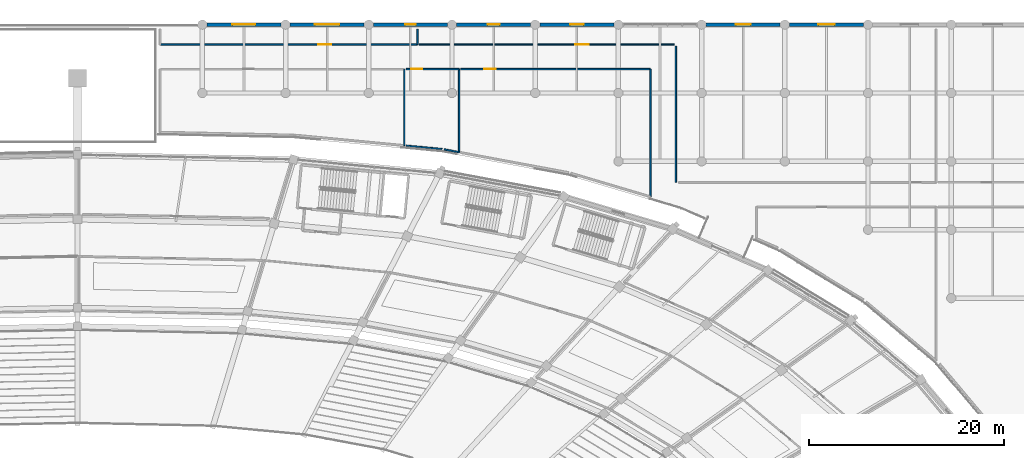
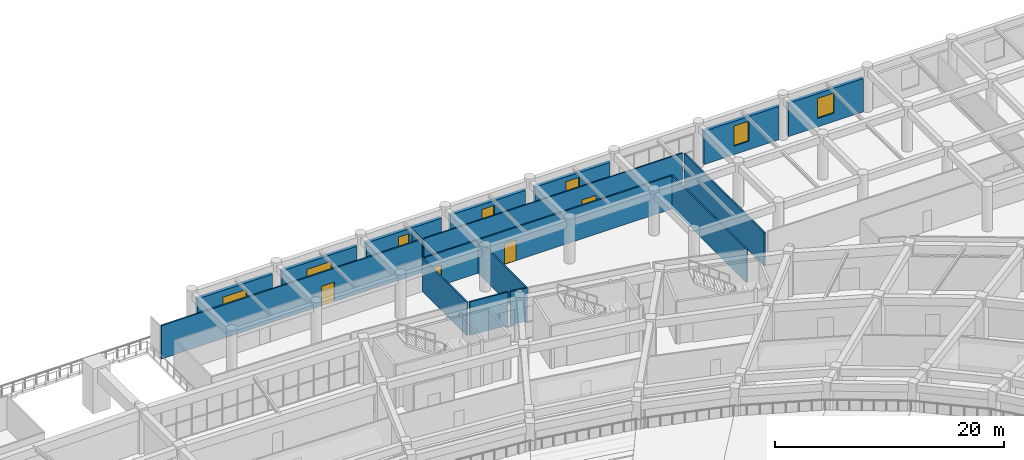
# One storey, part 116 of 152: 18 walls, 7 windows, 4 doors, 11 openings.
"""IFC4 building model written with IfcOpenShell, lengths in metres."""

from ifc_helpers import new_model, si_unit, direction, frame, frame_2d, origin, place, context, subcontext, project, spatial, rectangle, extrude, material, layer, layer_set, type_object, element, fill, save


model = new_model("IFC4")

# Units and contexts
model_context = context("Model", 3, precision=1e-05, world=origin(), true_north=direction((0.0, 1.0)))
body_context = subcontext(model_context, "Body", "Model", "MODEL_VIEW")
ifc_project = project(units=[si_unit("LENGTHUNIT", "METRE"), si_unit("AREAUNIT", "SQUARE_METRE"), si_unit("VOLUMEUNIT", "CUBIC_METRE"), si_unit("PLANEANGLEUNIT", "RADIAN"), si_unit("MASSUNIT", "GRAM", prefix="KILO")], contexts=[model_context])

# Site, building, storey
site_placement = place(None, origin())
site = spatial("IfcSite", under=ifc_project, at=site_placement, CompositionType="ELEMENT")
building_placement = place(site_placement, origin())
building = spatial("IfcBuilding", under=site, at=building_placement, Name="Mphavela Belvedere Stadium", CompositionType="ELEMENT")
storey_placement = place(building_placement, frame((0.0, 0.0, 5.39990234375)))
storey = spatial("IfcBuildingStorey", under=building, at=storey_placement, Name="L01", CompositionType="ELEMENT", Elevation=5.39990234375)

# Wall, opening, window
ifc_material_1 = material(Name="Honed ashlar limestone masonry", Category="masonry")
ifc_layer_1 = layer(ifc_material_1, 0.35009765625)
ifc_layer_set_1 = layer_set([ifc_layer_1], Name="Honed ashlar limestone masonry")
wall_type_1 = type_object("IfcWallType", Name="WAL-EXT-ASHLAR-350", PredefinedType="STANDARD", material=ifc_layer_set_1)
wall_1_placement = place(storey_placement, frame((128.2509765625, 174.0, 0.0), z_axis=(0.0, 0.0, 1.0), x_axis=(1.0, 0.0, 0.0)))
wall_1 = element("IfcWall", 1, at=wall_1_placement, inside=storey, type_object=wall_type_1, Name="North Mast and Ceremonial End Forecourt outer facade bay L01-16", PredefinedType="STANDARD", context=body_context, shape_type="SweptSolid", body=[
    extrude(rectangle(XDim=7.572021484375, YDim=0.35009765625, at=frame_2d((3.7861328125, 0.0))), origin(), (0.0, 0.0, 1.0), 3.56005859375),
])
opening_1_placement = place(wall_1_placement, frame((2.60595703125, 0.0, 0.89990234375)))
opening_1 = element("IfcOpeningElement", 2, at=opening_1_placement, cuts=wall_1, Name="Opening W-164", PredefinedType="OPENING", context=body_context, shape_type="SweptSolid", body=[
    extrude(rectangle(XDim=2.360107421875, YDim=1.949951171875, at=frame_2d((1.18017578125, 0.97509765625))), frame((0.0, 0.18505859375, 0.0), z_axis=(0.0, -1.0, 0.0), x_axis=(1.0, 0.0, 0.0)), (0.0, 0.0, 1.0), 0.3701171875),
])
ifc_material_2 = material(Name="Bronze-anodised thermally broken aluminium window", Category="aluminium")
window_type_1 = type_object("IfcWindowType", Name="WIN-EXT-32", PartitioningType="SINGLE_PANEL", PredefinedType="WINDOW", material=ifc_material_2)
window_1_placement = place(opening_1_placement, origin())
window_1 = element("IfcWindow", 3, at=window_1_placement, inside=storey, type_object=window_type_1, Name="North Mast and Ceremonial End Forecourt classical window W-164", OverallHeight=1.949951171875, OverallWidth=2.360107421875, PartitioningType="SINGLE_PANEL", PredefinedType="WINDOW", context=body_context, shape_type="SweptSolid", body=[
    extrude(rectangle(XDim=2.360107421875, YDim=1.949951171875, at=frame_2d((1.18017578125, 0.97509765625))), frame((0.0, 0.030029296875, 0.0), z_axis=(0.0, -1.0, 0.0), x_axis=(1.0, 0.0, 0.0)), (0.0, 0.0, 1.0), 0.06005859375),
])
fill(opening_1, window_1)

wall_2_placement = place(storey_placement, frame((136.76904296875, 174.0, 0.0), z_axis=(0.0, 0.0, 1.0), x_axis=(1.0, 0.0, 0.0)))
wall_2 = element("IfcWall", 4, at=wall_2_placement, inside=storey, type_object=wall_type_1, Name="North Mast and Ceremonial End Forecourt outer facade bay L01-17", PredefinedType="STANDARD", context=body_context, shape_type="SweptSolid", body=[
    extrude(rectangle(XDim=7.572998046875, YDim=0.35009765625, at=frame_2d((3.78662109375, 0.0))), origin(), (0.0, 0.0, 1.0), 3.56005859375),
])
opening_2_placement = place(wall_2_placement, frame((2.526611328125, 0.0, 0.89990234375)))
opening_2 = element("IfcOpeningElement", 5, at=opening_2_placement, cuts=wall_2, Name="Opening W-165", PredefinedType="OPENING", context=body_context, shape_type="SweptSolid", body=[
    extrude(rectangle(XDim=2.52001953125, YDim=1.949951171875, at=frame_2d((1.260009765625, 0.97509765625))), frame((0.0, 0.18505859375, 0.0), z_axis=(0.0, -1.0, 0.0), x_axis=(1.0, 0.0, 0.0)), (0.0, 0.0, 1.0), 0.3701171875),
])
ifc_material_3 = material(Name="Bronze-anodised thermally broken aluminium window", Category="aluminium")
window_type_2 = type_object("IfcWindowType", Name="WIN-EXT-33", PartitioningType="SINGLE_PANEL", PredefinedType="WINDOW", material=ifc_material_3)
window_2_placement = place(opening_2_placement, origin())
window_2 = element("IfcWindow", 6, at=window_2_placement, inside=storey, type_object=window_type_2, Name="North Mast and Ceremonial End Forecourt classical window W-165", OverallHeight=1.949951171875, OverallWidth=2.52001953125, PartitioningType="SINGLE_PANEL", PredefinedType="WINDOW", context=body_context, shape_type="SweptSolid", body=[
    extrude(rectangle(XDim=2.52001953125, YDim=1.949951171875, at=frame_2d((1.260009765625, 0.97509765625))), frame((0.0, 0.030029296875, 0.0), z_axis=(0.0, -1.0, 0.0), x_axis=(1.0, 0.0, 0.0)), (0.0, 0.0, 1.0), 0.06005859375),
])
fill(opening_2, window_2)

wall_3_placement = place(storey_placement, frame((145.2880859375, 174.0, 0.0), z_axis=(0.0, 0.0, 1.0), x_axis=(1.0, 0.0, 0.0)))
wall_3 = element("IfcWall", 7, at=wall_3_placement, inside=storey, type_object=wall_type_1, Name="North Mast and Ceremonial End Forecourt outer facade bay L01-18", PredefinedType="STANDARD", context=body_context, shape_type="SweptSolid", body=[
    extrude(rectangle(XDim=7.572021484375, YDim=0.35009765625, at=frame_2d((3.7861328125, 0.0))), origin(), (0.0, 0.0, 1.0), 3.56005859375),
])
opening_3_placement = place(wall_3_placement, frame((3.236083984375, 0.0, 0.89990234375)))
opening_3 = element("IfcOpeningElement", 8, at=opening_3_placement, cuts=wall_3, Name="Opening W-166", PredefinedType="OPENING", context=body_context, shape_type="SweptSolid", body=[
    extrude(rectangle(XDim=1.10009765625, YDim=2.14990234375, at=frame_2d((0.550048828125, 1.074951171875))), frame((0.0, 0.18505859375, 0.0), z_axis=(0.0, -1.0, 0.0), x_axis=(1.0, 0.0, 0.0)), (0.0, 0.0, 1.0), 0.3701171875),
])
ifc_material_4 = material(Name="Bronze-anodised thermally broken aluminium window", Category="aluminium")
window_type_3 = type_object("IfcWindowType", Name="WIN-EXT-34", PartitioningType="SINGLE_PANEL", PredefinedType="WINDOW", material=ifc_material_4)
window_3_placement = place(opening_3_placement, origin())
window_3 = element("IfcWindow", 9, at=window_3_placement, inside=storey, type_object=window_type_3, Name="North Mast and Ceremonial End Forecourt classical window W-166", OverallHeight=2.14990234375, OverallWidth=1.10009765625, PartitioningType="SINGLE_PANEL", PredefinedType="WINDOW", context=body_context, shape_type="SweptSolid", body=[
    extrude(rectangle(XDim=1.10009765625, YDim=2.14990234375, at=frame_2d((0.550048828125, 1.074951171875))), frame((0.0, 0.030029296875, 0.0), z_axis=(0.0, -1.0, 0.0), x_axis=(1.0, 0.0, 0.0)), (0.0, 0.0, 1.0), 0.06005859375),
])
fill(opening_3, window_3)

wall_4_placement = place(storey_placement, frame((153.805908203125, 174.0, 0.0), z_axis=(0.0, 0.0, 1.0), x_axis=(1.0, 0.0, 0.0)))
wall_4 = element("IfcWall", 10, at=wall_4_placement, inside=storey, type_object=wall_type_1, Name="North Mast and Ceremonial End Forecourt outer facade bay L01-19", PredefinedType="STANDARD", context=body_context, shape_type="SweptSolid", body=[
    extrude(rectangle(XDim=7.572998046875, YDim=0.35009765625, at=frame_2d((3.78662109375, 0.0))), origin(), (0.0, 0.0, 1.0), 3.56005859375),
])
opening_4_placement = place(wall_4_placement, frame((3.16650390625, 0.0, 0.89990234375)))
opening_4 = element("IfcOpeningElement", 11, at=opening_4_placement, cuts=wall_4, Name="Opening W-167", PredefinedType="OPENING", context=body_context, shape_type="SweptSolid", body=[
    extrude(rectangle(XDim=1.239990234375, YDim=2.14990234375, at=frame_2d((0.6201171875, 1.074951171875))), frame((0.0, 0.18505859375, 0.0), z_axis=(0.0, -1.0, 0.0), x_axis=(1.0, 0.0, 0.0)), (0.0, 0.0, 1.0), 0.3701171875),
])
ifc_material_5 = material(Name="Bronze-anodised thermally broken aluminium window", Category="aluminium")
window_type_4 = type_object("IfcWindowType", Name="WIN-EXT-35", PartitioningType="SINGLE_PANEL", PredefinedType="WINDOW", material=ifc_material_5)
window_4_placement = place(opening_4_placement, origin())
window_4 = element("IfcWindow", 12, at=window_4_placement, inside=storey, type_object=window_type_4, Name="North Mast and Ceremonial End Forecourt classical window W-167", OverallHeight=2.14990234375, OverallWidth=1.239990234375, PartitioningType="SINGLE_PANEL", PredefinedType="WINDOW", context=body_context, shape_type="SweptSolid", body=[
    extrude(rectangle(XDim=1.239990234375, YDim=2.14990234375, at=frame_2d((0.6201171875, 1.074951171875))), frame((0.0, 0.030029296875, 0.0), z_axis=(0.0, -1.0, 0.0), x_axis=(1.0, 0.0, 0.0)), (0.0, 0.0, 1.0), 0.06005859375),
])
fill(opening_4, window_4)

wall_5_placement = place(storey_placement, frame((162.324951171875, 174.0, 0.0), z_axis=(0.0, 0.0, 1.0), x_axis=(1.0, 0.0, 0.0)))
wall_5 = element("IfcWall", 13, at=wall_5_placement, inside=storey, type_object=wall_type_1, Name="North Mast and Ceremonial End Forecourt outer facade bay L01-20", PredefinedType="STANDARD", context=body_context, shape_type="SweptSolid", body=[
    extrude(rectangle(XDim=7.572021484375, YDim=0.35009765625, at=frame_2d((3.7861328125, 0.0))), origin(), (0.0, 0.0, 1.0), 3.56005859375),
])
opening_5_placement = place(wall_5_placement, frame((3.095947265625, 0.0, 0.89990234375)))
opening_5 = element("IfcOpeningElement", 14, at=opening_5_placement, cuts=wall_5, Name="Opening W-168", PredefinedType="OPENING", context=body_context, shape_type="SweptSolid", body=[
    extrude(rectangle(XDim=1.3798828125, YDim=2.14990234375, at=frame_2d((0.68994140625, 1.074951171875))), frame((0.0, 0.18505859375, 0.0), z_axis=(0.0, -1.0, 0.0), x_axis=(1.0, 0.0, 0.0)), (0.0, 0.0, 1.0), 0.3701171875),
])
ifc_material_6 = material(Name="Bronze-anodised thermally broken aluminium window", Category="aluminium")
window_type_5 = type_object("IfcWindowType", Name="WIN-EXT-36", PartitioningType="SINGLE_PANEL", PredefinedType="WINDOW", material=ifc_material_6)
window_5_placement = place(opening_5_placement, origin())
window_5 = element("IfcWindow", 15, at=window_5_placement, inside=storey, type_object=window_type_5, Name="North Mast and Ceremonial End Forecourt classical window W-168", OverallHeight=2.14990234375, OverallWidth=1.3798828125, PartitioningType="SINGLE_PANEL", PredefinedType="WINDOW", context=body_context, shape_type="SweptSolid", body=[
    extrude(rectangle(XDim=1.3798828125, YDim=2.14990234375, at=frame_2d((0.68994140625, 1.074951171875))), frame((0.0, 0.030029296875, 0.0), z_axis=(0.0, -1.0, 0.0), x_axis=(1.0, 0.0, 0.0)), (0.0, 0.0, 1.0), 0.06005859375),
])
fill(opening_5, window_5)

wall_6_placement = place(storey_placement, frame((179.362060546875, 174.0, 0.0), z_axis=(0.0, 0.0, 1.0), x_axis=(1.0, 0.0, 0.0)))
wall_6 = element("IfcWall", 16, at=wall_6_placement, inside=storey, type_object=wall_type_1, Name="North Mast and Ceremonial End Forecourt outer facade bay L01-22", PredefinedType="STANDARD", context=body_context, shape_type="SweptSolid", body=[
    extrude(rectangle(XDim=7.572021484375, YDim=0.35009765625, at=frame_2d((3.7861328125, 0.0))), origin(), (0.0, 0.0, 1.0), 3.56005859375),
])
opening_6_placement = place(wall_6_placement, frame((3.02587890625, 0.0, 0.89990234375)))
opening_6 = element("IfcOpeningElement", 17, at=opening_6_placement, cuts=wall_6, Name="Opening W-169", PredefinedType="OPENING", context=body_context, shape_type="SweptSolid", body=[
    extrude(rectangle(XDim=1.52001953125, YDim=2.14990234375, at=frame_2d((0.760009765625, 1.074951171875))), frame((0.0, 0.18505859375, 0.0), z_axis=(0.0, -1.0, 0.0), x_axis=(1.0, 0.0, 0.0)), (0.0, 0.0, 1.0), 0.3701171875),
])
ifc_material_7 = material(Name="Bronze-anodised thermally broken aluminium window", Category="aluminium")
window_type_6 = type_object("IfcWindowType", Name="WIN-EXT-37", PartitioningType="SINGLE_PANEL", PredefinedType="WINDOW", material=ifc_material_7)
window_6_placement = place(opening_6_placement, origin())
window_6 = element("IfcWindow", 18, at=window_6_placement, inside=storey, type_object=window_type_6, Name="North Mast and Ceremonial End Forecourt classical window W-169", OverallHeight=2.14990234375, OverallWidth=1.52001953125, PartitioningType="SINGLE_PANEL", PredefinedType="WINDOW", context=body_context, shape_type="SweptSolid", body=[
    extrude(rectangle(XDim=1.52001953125, YDim=2.14990234375, at=frame_2d((0.760009765625, 1.074951171875))), frame((0.0, 0.030029296875, 0.0), z_axis=(0.0, -1.0, 0.0), x_axis=(1.0, 0.0, 0.0)), (0.0, 0.0, 1.0), 0.06005859375),
])
fill(opening_6, window_6)

wall_7_placement = place(storey_placement, frame((187.8798828125, 174.0, 0.0), z_axis=(0.0, 0.0, 1.0), x_axis=(1.0, 0.0, 0.0)))
wall_7 = element("IfcWall", 19, at=wall_7_placement, inside=storey, type_object=wall_type_1, Name="North Mast and Ceremonial End Forecourt outer facade bay L01-23", PredefinedType="STANDARD", context=body_context, shape_type="SweptSolid", body=[
    extrude(rectangle(XDim=7.572998046875, YDim=0.35009765625, at=frame_2d((3.78662109375, 0.0))), origin(), (0.0, 0.0, 1.0), 3.56005859375),
])
opening_7_placement = place(wall_7_placement, frame((2.95654296875, 0.0, 0.89990234375)))
opening_7 = element("IfcOpeningElement", 20, at=opening_7_placement, cuts=wall_7, Name="Opening W-170", PredefinedType="OPENING", context=body_context, shape_type="SweptSolid", body=[
    extrude(rectangle(XDim=1.659912109375, YDim=2.14990234375, at=frame_2d((0.830078125, 1.074951171875))), frame((0.0, 0.18505859375, 0.0), z_axis=(0.0, -1.0, 0.0), x_axis=(1.0, 0.0, 0.0)), (0.0, 0.0, 1.0), 0.3701171875),
])
ifc_material_8 = material(Name="Bronze-anodised thermally broken aluminium window", Category="aluminium")
window_type_7 = type_object("IfcWindowType", Name="WIN-EXT-38", PartitioningType="SINGLE_PANEL", PredefinedType="WINDOW", material=ifc_material_8)
window_7_placement = place(opening_7_placement, origin())
window_7 = element("IfcWindow", 21, at=window_7_placement, inside=storey, type_object=window_type_7, Name="North Mast and Ceremonial End Forecourt classical window W-170", OverallHeight=2.14990234375, OverallWidth=1.659912109375, PartitioningType="SINGLE_PANEL", PredefinedType="WINDOW", context=body_context, shape_type="SweptSolid", body=[
    extrude(rectangle(XDim=1.659912109375, YDim=2.14990234375, at=frame_2d((0.830078125, 1.074951171875))), frame((0.0, 0.030029296875, 0.0), z_axis=(0.0, -1.0, 0.0), x_axis=(1.0, 0.0, 0.0)), (0.0, 0.0, 1.0), 0.06005859375),
])
fill(opening_7, window_7)

# Wall, opening, door
ifc_material_9 = material(Name="Moisture-resistant sanitary partition assembly")
ifc_layer_2 = layer(ifc_material_9, 0.125)
ifc_layer_set_2 = layer_set([ifc_layer_2], Name="Moisture-resistant sanitary partition assembly")
wall_type_2 = type_object("IfcWallType", Name="WAL-PART-125", PredefinedType="PARTITIONING", material=ifc_layer_set_2)
wall_8_placement = place(storey_placement, frame((176.10009765625, 171.9599609375, 0.0), z_axis=(0.0, 0.0, 1.0), x_axis=(-1.0, 0.0, 0.0)))
wall_8 = element("IfcWall", 22, at=wall_8_placement, inside=storey, type_object=wall_type_2, Name="Room L01-180 corridor partition", PredefinedType="PARTITIONING", context=body_context, shape_type="SweptSolid", body=[
    extrude(rectangle(XDim=26.10009765625, YDim=0.125, at=frame_2d((13.050048828125, 0.0))), origin(), (0.0, 0.0, 1.0), 3.550048828125),
])
opening_8_placement = place(wall_8_placement, frame((8.740966796875, 0.0, 0.0)))
opening_8 = element("IfcOpeningElement", 23, at=opening_8_placement, cuts=wall_8, Name="Opening ID-444", PredefinedType="OPENING", context=body_context, shape_type="SweptSolid", body=[
    extrude(rectangle(XDim=1.39990234375, YDim=2.10009765625, at=frame_2d((0.699951171875, 1.050048828125))), frame((0.0, 0.072509765625, 0.0), z_axis=(0.0, -1.0, 0.0), x_axis=(1.0, 0.0, 0.0)), (0.0, 0.0, 1.0), 0.14501953125),
])
ifc_material_10 = material(Name="Hardwood acoustic timber doorset", Category="wood")
door_type_1 = type_object("IfcDoorType", Name="DR-INT-12", OperationType="NOTDEFINED", PredefinedType="DOOR", material=ifc_material_10)
door_1_placement = place(opening_8_placement, origin())
door_1 = element("IfcDoor", 24, at=door_1_placement, inside=storey, type_object=door_type_1, Name="Room L01-180 entrance door ID-444", OperationType="SINGLE_SWING_RIGHT", OverallHeight=2.10009765625, OverallWidth=1.39990234375, PredefinedType="DOOR", context=body_context, shape_type="SweptSolid", body=[
    extrude(rectangle(XDim=1.39990234375, YDim=2.10009765625, at=frame_2d((0.699951171875, 1.050048828125))), frame((0.0, 0.02490234375, 0.0), z_axis=(0.0, -1.0, 0.0), x_axis=(1.0, 0.0, 0.0)), (0.0, 0.0, 1.0), 0.050048828125),
])
fill(opening_8, door_1)

ifc_material_11 = material(Name="Acoustic gypsum stud partition assembly")
ifc_layer_3 = layer(ifc_material_11, 0.14990234375)
ifc_layer_set_3 = layer_set([ifc_layer_3], Name="Acoustic gypsum stud partition assembly")
wall_type_3 = type_object("IfcWallType", Name="WAL-PART-150", PredefinedType="PARTITIONING", material=ifc_layer_set_3)
wall_9_placement = place(storey_placement, frame((149.800048828125, 171.9599609375, 0.0), z_axis=(0.0, 0.0, 1.0), x_axis=(-1.0, 0.0, 0.0)))
wall_9 = element("IfcWall", 25, at=wall_9_placement, inside=storey, type_object=wall_type_3, Name="Room L01-179 corridor partition", PredefinedType="PARTITIONING", context=body_context, shape_type="SweptSolid", body=[
    extrude(rectangle(XDim=26.300048828125, YDim=0.14990234375, at=frame_2d((13.14990234375, 0.0))), origin(), (0.0, 0.0, 1.0), 3.550048828125),
])
opening_9_placement = place(wall_9_placement, frame((8.839111328125, 0.0, 0.0)))
opening_9 = element("IfcOpeningElement", 26, at=opening_9_placement, cuts=wall_9, Name="Opening ID-443", PredefinedType="OPENING", context=body_context, shape_type="SweptSolid", body=[
    extrude(rectangle(XDim=1.320068359375, YDim=2.10009765625, at=frame_2d((0.66015625, 1.050048828125))), frame((0.0, 0.0849609375, 0.0), z_axis=(0.0, -1.0, 0.0), x_axis=(1.0, 0.0, 0.0)), (0.0, 0.0, 1.0), 0.169921875),
])
ifc_material_12 = material(Name="Hardwood acoustic timber doorset", Category="wood")
door_type_2 = type_object("IfcDoorType", Name="DR-INT-11", OperationType="NOTDEFINED", PredefinedType="DOOR", material=ifc_material_12)
door_2_placement = place(opening_9_placement, origin())
door_2 = element("IfcDoor", 27, at=door_2_placement, inside=storey, type_object=door_type_2, Name="Room L01-179 entrance door ID-443", OperationType="SINGLE_SWING_LEFT", OverallHeight=2.10009765625, OverallWidth=1.320068359375, PredefinedType="DOOR", context=body_context, shape_type="SweptSolid", body=[
    extrude(rectangle(XDim=1.320068359375, YDim=2.10009765625, at=frame_2d((0.66015625, 1.050048828125))), frame((0.0, 0.02490234375, 0.0), z_axis=(0.0, -1.0, 0.0), x_axis=(1.0, 0.0, 0.0)), (0.0, 0.0, 1.0), 0.050048828125),
])
fill(opening_9, door_2)

wall_10_placement = place(storey_placement, frame((148.64501953125, 169.43994140625, 0.0), z_axis=(0.0, 0.0, 1.0), x_axis=(1.0, 0.0, 0.0)))
wall_10 = element("IfcWall", 28, at=wall_10_placement, inside=storey, type_object=wall_type_3, Name="Room L01-187 corridor partition", PredefinedType="PARTITIONING", context=body_context, shape_type="SweptSolid", body=[
    extrude(rectangle(XDim=5.419921875, YDim=0.14990234375, at=frame_2d((2.7099609375, 0.0))), origin(), (0.0, 0.0, 1.0), 3.550048828125),
])
opening_10_placement = place(wall_10_placement, frame((0.501953125, 0.0, 0.0)))
opening_10 = element("IfcOpeningElement", 29, at=opening_10_placement, cuts=wall_10, Name="Opening ID-451", PredefinedType="OPENING", context=body_context, shape_type="SweptSolid", body=[
    extrude(rectangle(XDim=1.139892578125, YDim=2.199951171875, at=frame_2d((0.56982421875, 1.10009765625))), frame((0.0, 0.0849609375, 0.0), z_axis=(0.0, -1.0, 0.0), x_axis=(1.0, 0.0, 0.0)), (0.0, 0.0, 1.0), 0.169921875),
])
ifc_material_13 = material(Name="Hardwood acoustic timber doorset", Category="wood")
door_type_3 = type_object("IfcDoorType", Name="DR-INT-19", OperationType="NOTDEFINED", PredefinedType="DOOR", material=ifc_material_13)
door_3_placement = place(opening_10_placement, origin())
door_3 = element("IfcDoor", 30, at=door_3_placement, inside=storey, type_object=door_type_3, Name="Room L01-187 entrance door ID-451", OperationType="SINGLE_SWING_LEFT", OverallHeight=2.199951171875, OverallWidth=1.139892578125, PredefinedType="DOOR", context=body_context, shape_type="SweptSolid", body=[
    extrude(rectangle(XDim=1.139892578125, YDim=2.199951171875, at=frame_2d((0.56982421875, 1.10009765625))), frame((0.0, 0.02490234375, 0.0), z_axis=(0.0, -1.0, 0.0), x_axis=(1.0, 0.0, 0.0)), (0.0, 0.0, 1.0), 0.050048828125),
])
fill(opening_10, door_3)

wall_11_placement = place(storey_placement, frame((154.22509765625, 169.43994140625, 0.0), z_axis=(0.0, 0.0, 1.0), x_axis=(1.0, 0.0, 0.0)))
wall_11 = element("IfcWall", 31, at=wall_11_placement, inside=storey, type_object=wall_type_3, Name="Room L01-188 corridor partition", PredefinedType="PARTITIONING", context=body_context, shape_type="SweptSolid", body=[
    extrude(rectangle(XDim=19.414794921875, YDim=0.14990234375, at=frame_2d((9.70751953125, 0.0))), origin(), (0.0, 0.0, 1.0), 3.550048828125),
])
opening_11_placement = place(wall_11_placement, frame((2.431396484375, 0.0, 0.0)))
opening_11 = element("IfcOpeningElement", 32, at=opening_11_placement, cuts=wall_11, Name="Opening ID-452", PredefinedType="OPENING", context=body_context, shape_type="SweptSolid", body=[
    extrude(rectangle(XDim=1.179931640625, YDim=2.199951171875, at=frame_2d((0.58984375, 1.10009765625))), frame((0.0, 0.0849609375, 0.0), z_axis=(0.0, -1.0, 0.0), x_axis=(1.0, 0.0, 0.0)), (0.0, 0.0, 1.0), 0.169921875),
])
ifc_material_14 = material(Name="Hardwood acoustic timber doorset", Category="wood")
door_type_4 = type_object("IfcDoorType", Name="DR-INT-20", OperationType="NOTDEFINED", PredefinedType="DOOR", material=ifc_material_14)
door_4_placement = place(opening_11_placement, origin())
door_4 = element("IfcDoor", 33, at=door_4_placement, inside=storey, type_object=door_type_4, Name="Room L01-188 entrance door ID-452", OperationType="SINGLE_SWING_RIGHT", OverallHeight=2.199951171875, OverallWidth=1.179931640625, PredefinedType="DOOR", context=body_context, shape_type="SweptSolid", body=[
    extrude(rectangle(XDim=1.179931640625, YDim=2.199951171875, at=frame_2d((0.58984375, 1.10009765625))), frame((0.0, 0.02490234375, 0.0), z_axis=(0.0, -1.0, 0.0), x_axis=(1.0, 0.0, 0.0)), (0.0, 0.0, 1.0), 0.050048828125),
])
fill(opening_11, door_4)

# Walls
wall_12_placement = place(storey_placement, frame((149.800048828125, 173.550048828125, 0.0), z_axis=(0.0, 0.0, 1.0), x_axis=(0.0, -1.0, 0.0)))
element("IfcWall", 34, at=wall_12_placement, inside=storey, type_object=wall_type_3, Name="Room divider partition L01-0958", PredefinedType="PARTITIONING", context=body_context, shape_type="SweptSolid", body=[
    extrude(rectangle(XDim=1.590087890625, YDim=0.14990234375, at=frame_2d((0.794921875, 0.0))), origin(), (0.0, 0.0, 1.0), 3.550048828125),
])
wall_13_placement = place(storey_placement, frame((176.260009765625, 157.860107421875, 0.0), z_axis=(0.0, 0.0, 1.0), x_axis=(0.0, 1.0, 0.0)))
element("IfcWall", 35, at=wall_13_placement, inside=storey, type_object=wall_type_3, Name="Room divider partition L01-0959", PredefinedType="PARTITIONING", context=body_context, shape_type="SweptSolid", body=[
    extrude(rectangle(XDim=13.93994140625, YDim=0.14990234375, at=frame_2d((6.969970703125, 0.0))), origin(), (0.0, 0.0, 1.0), 3.550048828125),
])
wall_14_placement = place(storey_placement, frame((148.445068359375, 169.43994140625, 0.0), z_axis=(0.0, 0.0, 1.0), x_axis=(0.0, -1.0, 0.0)))
element("IfcWall", 36, at=wall_14_placement, inside=storey, type_object=wall_type_3, Name="Room divider partition L01-0982", PredefinedType="PARTITIONING", context=body_context, shape_type="SweptSolid", body=[
    extrude(rectangle(XDim=7.815185546875, YDim=0.14990234375, at=frame_2d((3.90771484375, 0.0))), origin(), (0.0, 0.0, 1.0), 3.550048828125),
])
wall_15_placement = place(storey_placement, frame((152.31005859375, 161.256103515625, 0.0), z_axis=(0.0, 0.0, 1.0), x_axis=(-0.995481155674, 0.094959300221, 0.0)))
element("IfcWall", 37, at=wall_15_placement, inside=storey, type_object=wall_type_3, Name="Room divider partition L01-0984", PredefinedType="PARTITIONING", context=body_context, shape_type="SweptSolid", body=[
    extrude(rectangle(XDim=3.681640625, YDim=0.14990234375, at=frame_2d((1.8408203125, 0.0))), origin(), (0.0, 0.0, 1.0), 3.550048828125),
])
wall_16_placement = place(storey_placement, frame((154.06494140625, 169.43994140625, 0.0), z_axis=(0.0, 0.0, 1.0), x_axis=(0.0, -1.0, 0.0)))
element("IfcWall", 38, at=wall_16_placement, inside=storey, type_object=wall_type_3, Name="Room divider partition L01-0985", PredefinedType="PARTITIONING", context=body_context, shape_type="SweptSolid", body=[
    extrude(rectangle(XDim=8.50048828125, YDim=0.14990234375, at=frame_2d((4.250244140625, 0.0))), origin(), (0.0, 0.0, 1.0), 3.550048828125),
])
wall_17_placement = place(storey_placement, frame((154.06494140625, 160.939453125, 0.0), z_axis=(0.0, 0.0, 1.0), x_axis=(-0.983110419565, 0.183013395528, 0.0)))
element("IfcWall", 39, at=wall_17_placement, inside=storey, type_object=wall_type_3, Name="Room divider partition L01-0986", PredefinedType="PARTITIONING", context=body_context, shape_type="SweptSolid", body=[
    extrude(rectangle(XDim=1.560791015625, YDim=0.14990234375, at=frame_2d((0.7802734375, 0.0))), origin(), (0.0, 0.0, 1.0), 3.550048828125),
])
wall_18_placement = place(storey_placement, frame((173.639892578125, 169.43994140625, 0.0), z_axis=(0.0, 0.0, 1.0), x_axis=(0.0, -1.0, 0.0)))
element("IfcWall", 40, at=wall_18_placement, inside=storey, type_object=wall_type_3, Name="Room divider partition L01-0987", PredefinedType="PARTITIONING", context=body_context, shape_type="SweptSolid", body=[
    extrude(rectangle(XDim=13.058837890625, YDim=0.14990234375, at=frame_2d((6.529296875, 0.0))), origin(), (0.0, 0.0, 1.0), 3.550048828125),
])

save(model, "model.ifc")
